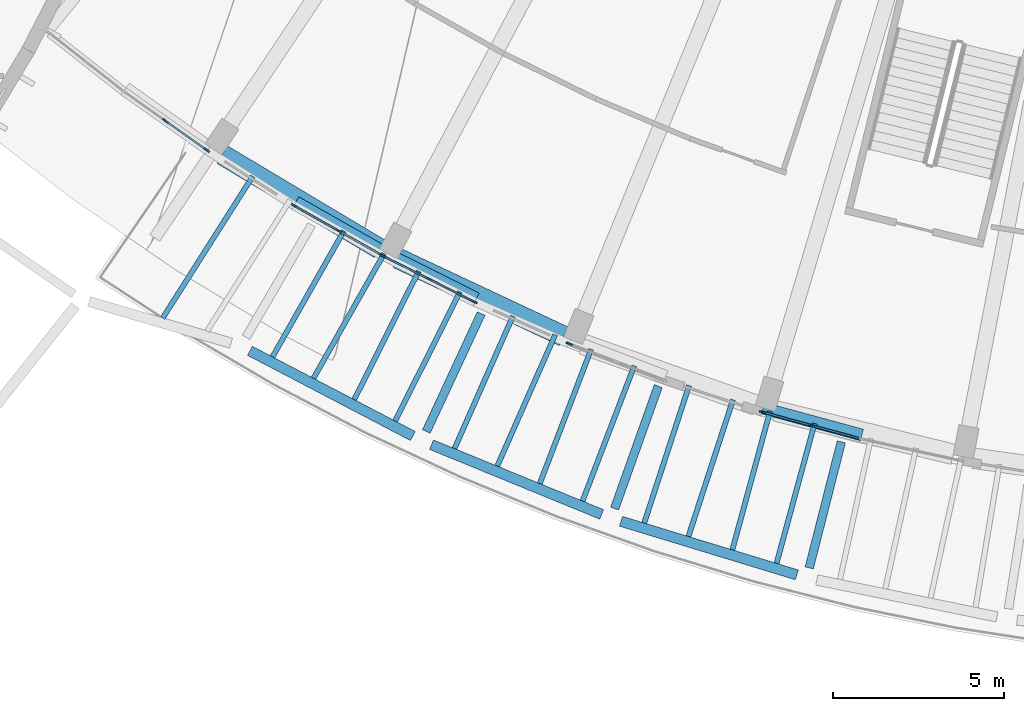
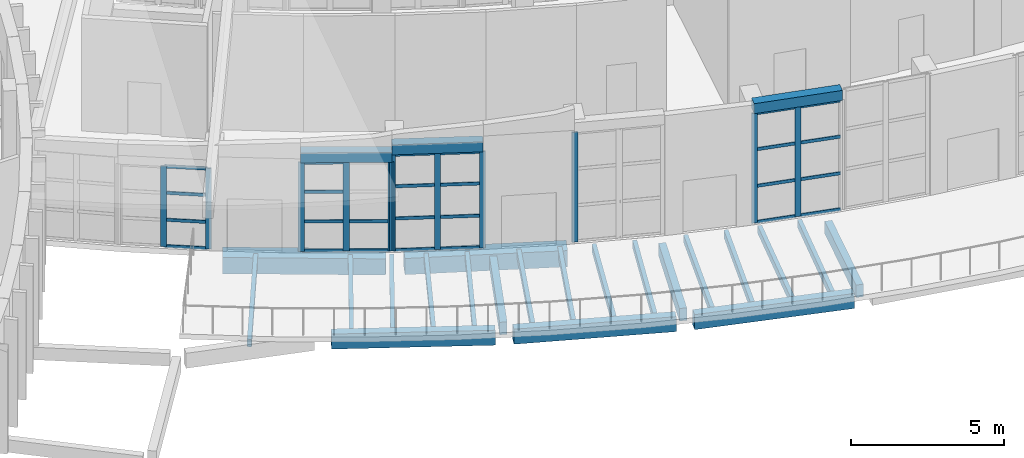
# One storey, part 8 of 93: 37 members, 24 beams, 5 elements without a shape of their own.
"""IFC4 building model written with IfcOpenShell, lengths in metres."""

from ifc_helpers import new_model, si_unit, direction, frame, origin, origin_2d, place, context, subcontext, project, spatial, rectangle, extrude, material, material_profile, profile_set, type_object, element, aggregate, save


model = new_model("IFC4")

# Units and contexts
model_context = context("Model", 3, precision=1e-05, world=origin(), true_north=direction((0.0, 1.0)))
body_context = subcontext(model_context, "Body", "Model", "MODEL_VIEW")
ifc_project = project(units=[si_unit("LENGTHUNIT", "METRE"), si_unit("AREAUNIT", "SQUARE_METRE"), si_unit("VOLUMEUNIT", "CUBIC_METRE"), si_unit("PLANEANGLEUNIT", "RADIAN"), si_unit("MASSUNIT", "GRAM", prefix="KILO")], contexts=[model_context])

# Site, building, storey
site_placement = place(None, origin())
site = spatial("IfcSite", under=ifc_project, at=site_placement, CompositionType="ELEMENT")
building_placement = place(site_placement, origin())
building = spatial("IfcBuilding", under=site, at=building_placement, Name="Tide Square Theatres", CompositionType="ELEMENT")
storey_placement = place(building_placement, frame((0.0, 0.0, 5.39990234375)))
storey = spatial("IfcBuildingStorey", under=building, at=storey_placement, Name="L01", CompositionType="ELEMENT", Elevation=5.39990234375)

# Curtain wall, members
ifc_material_1 = material(Name="Aluminium 6063-T5", Category="aluminium")
curtain_wall_type_1 = type_object("IfcCurtainWallType", Name="Stick system curtain wall 3000 high", PredefinedType="USERDEFINED", material=ifc_material_1)
curtain_wall_1_placement = place(storey_placement, origin())
curtain_wall_1 = element("IfcCurtainWall", 1, at=curtain_wall_1_placement, inside=storey, type_object=curtain_wall_type_1, Name="Foyer outer curtain wall", ObjectType="STICK SYSTEM", PredefinedType="USERDEFINED")
ifc_material_2 = material(Name="Aluminium 6063-T5", Category="aluminium")
ifc_material_profile_1 = material_profile(ifc_material_2, rectangle(XDim=0.050048828125, YDim=0.199951171875, at=origin_2d()))
ifc_profile_set_1 = profile_set([ifc_material_profile_1], Name="Aluminium 6063-T5")
member_type_1 = type_object("IfcMemberType", Name="Aluminium mullion 50 x 200", PredefinedType="MULLION", material=ifc_profile_set_1)
member_1_placement = place(storey_placement, frame((49.433837890625, 19.13330078125, 0.0), z_axis=(0.0, 0.0, 1.0), x_axis=(0.577503246104, 0.816388388415, 0.0)))
member_1 = element("IfcMember", 2, at=member_1_placement, type_object=member_type_1, Name="CW-10 mullion 2", PredefinedType="MULLION", context=body_context, shape_type="SweptSolid", body=[
    extrude(rectangle(XDim=0.050048828125, YDim=0.199951171875, at=origin_2d()), origin(), (0.0, 0.0, 1.0), 3.23486328125),
])
member_2_placement = place(storey_placement, frame((50.63623046875, 18.28271484375, 0.0), z_axis=(0.0, 0.0, 1.0), x_axis=(0.577503246104, 0.816388388415, 0.0)))
member_2 = element("IfcMember", 3, at=member_2_placement, type_object=member_type_1, Name="CW-10 mullion 3", PredefinedType="MULLION", context=body_context, shape_type="SweptSolid", body=[
    extrude(rectangle(XDim=0.050048828125, YDim=0.199951171875, at=origin_2d()), origin(), (0.0, 0.0, 1.0), 3.23486328125),
])

ifc_material_3 = material(Name="Aluminium 6063-T5", Category="aluminium")
curtain_wall_type_2 = type_object("IfcCurtainWallType", Name="Unitised system curtain wall 3600 high", PredefinedType="USERDEFINED", material=ifc_material_3)
curtain_wall_2_placement = place(storey_placement, origin())
curtain_wall_2 = element("IfcCurtainWall", 4, at=curtain_wall_2_placement, inside=storey, type_object=curtain_wall_type_2, Name="Foyer outer curtain wall", ObjectType="UNITISED SYSTEM", PredefinedType="USERDEFINED")
member_3_placement = place(storey_placement, frame((53.207763671875, 16.650390625, 0.0), z_axis=(0.0, 0.0, 1.0), x_axis=(0.493019309235, 0.870018368037, 0.0)))
member_3 = element("IfcMember", 5, at=member_3_placement, type_object=member_type_1, Name="CW-05 mullion 1", PredefinedType="MULLION", context=body_context, shape_type="SweptSolid", body=[
    extrude(rectangle(XDim=0.050048828125, YDim=0.199951171875, at=origin_2d()), origin(), (0.0, 0.0, 1.0), 3.567626953125),
])
member_4_placement = place(storey_placement, frame((54.489501953125, 15.924072265625, 0.0), z_axis=(0.0, 0.0, 1.0), x_axis=(0.493019309235, 0.870018368037, 0.0)))
member_4 = element("IfcMember", 6, at=member_4_placement, type_object=member_type_1, Name="CW-05 mullion 2", PredefinedType="MULLION", context=body_context, shape_type="SweptSolid", body=[
    extrude(rectangle(XDim=0.050048828125, YDim=0.199951171875, at=origin_2d()), origin(), (0.0, 0.0, 1.0), 3.567626953125),
])
member_5_placement = place(storey_placement, frame((55.77099609375, 15.197998046875, 0.0), z_axis=(0.0, 0.0, 1.0), x_axis=(0.493019309235, 0.870018368037, 0.0)))
member_5 = element("IfcMember", 7, at=member_5_placement, type_object=member_type_1, Name="CW-05 mullion 3", PredefinedType="MULLION", context=body_context, shape_type="SweptSolid", body=[
    extrude(rectangle(XDim=0.050048828125, YDim=0.199951171875, at=origin_2d()), origin(), (0.0, 0.0, 1.0), 3.567626953125),
])

curtain_wall_3_placement = place(storey_placement, origin())
curtain_wall_3 = element("IfcCurtainWall", 8, at=curtain_wall_3_placement, inside=storey, type_object=curtain_wall_type_2, Name="Foyer outer curtain wall", ObjectType="UNITISED SYSTEM", PredefinedType="USERDEFINED")
member_6_placement = place(storey_placement, frame((55.81494140625, 15.17431640625, 0.0), z_axis=(0.0, 0.0, 1.0), x_axis=(0.448868382034, 0.893597882501, 0.0)))
member_6 = element("IfcMember", 9, at=member_6_placement, type_object=member_type_1, Name="CW-05 mullion 1", PredefinedType="MULLION", context=body_context, shape_type="SweptSolid", body=[
    extrude(rectangle(XDim=0.050048828125, YDim=0.199951171875, at=origin_2d()), origin(), (0.0, 0.0, 1.0), 3.865966796875),
])
member_7_placement = place(storey_placement, frame((57.13134765625, 14.51318359375, 0.0), z_axis=(0.0, 0.0, 1.0), x_axis=(0.448868382034, 0.893597882501, 0.0)))
member_7 = element("IfcMember", 10, at=member_7_placement, type_object=member_type_1, Name="CW-05 mullion 2", PredefinedType="MULLION", context=body_context, shape_type="SweptSolid", body=[
    extrude(rectangle(XDim=0.050048828125, YDim=0.199951171875, at=origin_2d()), origin(), (0.0, 0.0, 1.0), 3.865966796875),
])
member_8_placement = place(storey_placement, frame((58.447509765625, 13.85205078125, 0.0), z_axis=(0.0, 0.0, 1.0), x_axis=(0.448868382034, 0.893597882501, 0.0)))
member_8 = element("IfcMember", 11, at=member_8_placement, type_object=member_type_1, Name="CW-05 mullion 3", PredefinedType="MULLION", context=body_context, shape_type="SweptSolid", body=[
    extrude(rectangle(XDim=0.050048828125, YDim=0.199951171875, at=origin_2d()), origin(), (0.0, 0.0, 1.0), 3.865966796875),
])

# Curtain wall, member
ifc_material_4 = material(Name="Aluminium 6063-T5", Category="aluminium")
curtain_wall_type_3 = type_object("IfcCurtainWallType", Name="Unitised system curtain wall 4600 high", PredefinedType="USERDEFINED", material=ifc_material_4)
curtain_wall_4_placement = place(storey_placement, origin())
curtain_wall_4 = element("IfcCurtainWall", 12, at=curtain_wall_4_placement, inside=storey, type_object=curtain_wall_type_3, Name="Foyer outer curtain wall", ObjectType="UNITISED SYSTEM", PredefinedType="USERDEFINED")
member_9_placement = place(storey_placement, frame((61.234375, 12.62255859375, 0.0), z_axis=(0.0, 0.0, 1.0), x_axis=(0.357352440873, 0.933969610321, 0.0)))
member_9 = element("IfcMember", 13, at=member_9_placement, type_object=member_type_1, Name="CW-03 mullion 1", PredefinedType="MULLION", context=body_context, shape_type="SweptSolid", body=[
    extrude(rectangle(XDim=0.050048828125, YDim=0.199951171875, at=origin_2d()), origin(), (0.0, 0.0, 1.0), 4.400146484375),
])
aggregate(curtain_wall_4, [member_9])

# Curtain wall, members
curtain_wall_5_placement = place(storey_placement, origin())
curtain_wall_5 = element("IfcCurtainWall", 14, at=curtain_wall_5_placement, inside=storey, type_object=curtain_wall_type_3, Name="Foyer outer curtain wall", ObjectType="UNITISED SYSTEM", PredefinedType="USERDEFINED")
member_10_placement = place(storey_placement, frame((66.88134765625, 10.625, 0.0), z_axis=(0.0, 0.0, 1.0), x_axis=(0.262213530715, 0.96500987783, 0.0)))
member_10 = element("IfcMember", 15, at=member_10_placement, type_object=member_type_1, Name="CW-03 mullion 1", PredefinedType="MULLION", context=body_context, shape_type="SweptSolid", body=[
    extrude(rectangle(XDim=0.050048828125, YDim=0.199951171875, at=origin_2d()), origin(), (0.0, 0.0, 1.0), 4.400146484375),
])
member_11_placement = place(storey_placement, frame((68.302978515625, 10.23876953125, 0.0), z_axis=(0.0, 0.0, 1.0), x_axis=(0.262213530715, 0.96500987783, 0.0)))
member_11 = element("IfcMember", 16, at=member_11_placement, type_object=member_type_1, Name="CW-03 mullion 2", PredefinedType="MULLION", context=body_context, shape_type="SweptSolid", body=[
    extrude(rectangle(XDim=0.050048828125, YDim=0.199951171875, at=origin_2d()), origin(), (0.0, 0.0, 1.0), 4.400146484375),
])

# Member
ifc_material_5 = material(Name="Aluminium 6063-T5", Category="aluminium")
ifc_material_profile_2 = material_profile(ifc_material_5, rectangle(XDim=0.050048828125, YDim=0.125, at=origin_2d()))
ifc_profile_set_2 = profile_set([ifc_material_profile_2], Name="Aluminium 6063-T5")
member_type_2 = type_object("IfcMemberType", Name="Aluminium transom 50 x 125", PredefinedType="USERDEFINED", material=ifc_profile_set_2)
member_12_placement = place(storey_placement, frame((49.4541015625, 19.118896484375, 0.025146484375), z_axis=(0.816425502723, -0.577450775828, 0.0), x_axis=(0.577450775828, 0.816425502723, 0.0)))
member_12 = element("IfcMember", 17, at=member_12_placement, type_object=member_type_2, Name="CW-10 transom 2.1", ObjectType="TRANSOM", PredefinedType="USERDEFINED", context=body_context, shape_type="SweptSolid", body=[
    extrude(rectangle(XDim=0.050048828125, YDim=0.125, at=origin_2d()), origin(), (0.0, 0.0, 1.0), 1.423095703125),
])

member_13_placement = place(storey_placement, frame((49.4541015625, 19.118896484375, 1.078369140625), z_axis=(0.816425502723, -0.577450775828, 0.0), x_axis=(0.577450775828, 0.816425502723, 0.0)))
member_13 = element("IfcMember", 18, at=member_13_placement, type_object=member_type_2, Name="CW-10 transom 2.2", ObjectType="TRANSOM", PredefinedType="USERDEFINED", context=body_context, shape_type="SweptSolid", body=[
    extrude(rectangle(XDim=0.050048828125, YDim=0.125, at=origin_2d()), origin(), (0.0, 0.0, 1.0), 1.423095703125),
])

member_14_placement = place(storey_placement, frame((49.4541015625, 19.118896484375, 2.156494140625), z_axis=(0.816425502723, -0.577450775828, 0.0), x_axis=(0.577450775828, 0.816425502723, 0.0)))
member_14 = element("IfcMember", 19, at=member_14_placement, type_object=member_type_2, Name="CW-10 transom 2.3", ObjectType="TRANSOM", PredefinedType="USERDEFINED", context=body_context, shape_type="SweptSolid", body=[
    extrude(rectangle(XDim=0.050048828125, YDim=0.125, at=origin_2d()), origin(), (0.0, 0.0, 1.0), 1.423095703125),
])

member_15_placement = place(storey_placement, frame((49.4541015625, 19.118896484375, 3.2099609375), z_axis=(0.816425502723, -0.577450775828, 0.0), x_axis=(0.577450775828, 0.816425502723, 0.0)))
member_15 = element("IfcMember", 20, at=member_15_placement, type_object=member_type_2, Name="CW-10 transom 2.4", ObjectType="TRANSOM", PredefinedType="USERDEFINED", context=body_context, shape_type="SweptSolid", body=[
    extrude(rectangle(XDim=0.050048828125, YDim=0.125, at=origin_2d()), origin(), (0.0, 0.0, 1.0), 1.423095703125),
])

aggregate(curtain_wall_1, [member_1, member_2, member_12, member_13, member_14, member_15])

member_16_placement = place(storey_placement, frame((53.2294921875, 16.637939453125, 0.025146484375), z_axis=(0.870063886333, -0.492938975633, 0.0), x_axis=(0.492938975633, 0.870063886333, 0.0)))
member_16 = element("IfcMember", 21, at=member_16_placement, type_object=member_type_2, Name="CW-05 transom 1.1", ObjectType="TRANSOM", PredefinedType="USERDEFINED", context=body_context, shape_type="SweptSolid", body=[
    extrude(rectangle(XDim=0.050048828125, YDim=0.125, at=origin_2d()), origin(), (0.0, 0.0, 1.0), 1.4228515625),
])

member_17_placement = place(storey_placement, frame((53.2294921875, 16.637939453125, 1.189208984375), z_axis=(0.870063886333, -0.492938975633, 0.0), x_axis=(0.492938975633, 0.870063886333, 0.0)))
member_17 = element("IfcMember", 22, at=member_17_placement, type_object=member_type_2, Name="CW-05 transom 1.2", ObjectType="TRANSOM", PredefinedType="USERDEFINED", context=body_context, shape_type="SweptSolid", body=[
    extrude(rectangle(XDim=0.050048828125, YDim=0.125, at=origin_2d()), origin(), (0.0, 0.0, 1.0), 1.4228515625),
])

member_18_placement = place(storey_placement, frame((53.2294921875, 16.637939453125, 2.37841796875), z_axis=(0.870063886333, -0.492938975633, 0.0), x_axis=(0.492938975633, 0.870063886333, 0.0)))
member_18 = element("IfcMember", 23, at=member_18_placement, type_object=member_type_2, Name="CW-05 transom 1.3", ObjectType="TRANSOM", PredefinedType="USERDEFINED", context=body_context, shape_type="SweptSolid", body=[
    extrude(rectangle(XDim=0.050048828125, YDim=0.125, at=origin_2d()), origin(), (0.0, 0.0, 1.0), 1.4228515625),
])

member_19_placement = place(storey_placement, frame((53.2294921875, 16.637939453125, 3.54248046875), z_axis=(0.870063886333, -0.492938975633, 0.0), x_axis=(0.492938975633, 0.870063886333, 0.0)))
member_19 = element("IfcMember", 24, at=member_19_placement, type_object=member_type_2, Name="CW-05 transom 1.4", ObjectType="TRANSOM", PredefinedType="USERDEFINED", context=body_context, shape_type="SweptSolid", body=[
    extrude(rectangle(XDim=0.050048828125, YDim=0.125, at=origin_2d()), origin(), (0.0, 0.0, 1.0), 1.4228515625),
])

member_20_placement = place(storey_placement, frame((54.51123046875, 15.911865234375, 0.025146484375), z_axis=(0.86999029574, -0.493068844401, 0.0), x_axis=(0.493068844401, 0.86999029574, 0.0)))
member_20 = element("IfcMember", 25, at=member_20_placement, type_object=member_type_2, Name="CW-05 transom 2.1", ObjectType="TRANSOM", PredefinedType="USERDEFINED", context=body_context, shape_type="SweptSolid", body=[
    extrude(rectangle(XDim=0.050048828125, YDim=0.125, at=origin_2d()), origin(), (0.0, 0.0, 1.0), 1.423095703125),
])

member_21_placement = place(storey_placement, frame((54.51123046875, 15.911865234375, 1.189208984375), z_axis=(0.86999029574, -0.493068844401, 0.0), x_axis=(0.493068844401, 0.86999029574, 0.0)))
member_21 = element("IfcMember", 26, at=member_21_placement, type_object=member_type_2, Name="CW-05 transom 2.2", ObjectType="TRANSOM", PredefinedType="USERDEFINED", context=body_context, shape_type="SweptSolid", body=[
    extrude(rectangle(XDim=0.050048828125, YDim=0.125, at=origin_2d()), origin(), (0.0, 0.0, 1.0), 1.423095703125),
])

aggregate(curtain_wall_2, [member_3, member_4, member_5, member_16, member_17, member_18, member_19, member_20, member_21])

member_22_placement = place(storey_placement, frame((55.83740234375, 15.1630859375, 0.025146484375), z_axis=(0.893602077864, -0.448860029895, 0.0), x_axis=(0.448860029895, 0.893602077864, 0.0)))
member_22 = element("IfcMember", 27, at=member_22_placement, type_object=member_type_2, Name="CW-05 transom 1.1", ObjectType="TRANSOM", PredefinedType="USERDEFINED", context=body_context, shape_type="SweptSolid", body=[
    extrude(rectangle(XDim=0.050048828125, YDim=0.125, at=origin_2d()), origin(), (0.0, 0.0, 1.0), 1.4228515625),
])

member_23_placement = place(storey_placement, frame((55.83740234375, 15.1630859375, 1.288818359375), z_axis=(0.893602077864, -0.448860029895, 0.0), x_axis=(0.448860029895, 0.893602077864, 0.0)))
member_23 = element("IfcMember", 28, at=member_23_placement, type_object=member_type_2, Name="CW-05 transom 1.2", ObjectType="TRANSOM", PredefinedType="USERDEFINED", context=body_context, shape_type="SweptSolid", body=[
    extrude(rectangle(XDim=0.050048828125, YDim=0.125, at=origin_2d()), origin(), (0.0, 0.0, 1.0), 1.4228515625),
])

member_24_placement = place(storey_placement, frame((55.83740234375, 15.1630859375, 2.577392578125), z_axis=(0.893602077864, -0.448860029895, 0.0), x_axis=(0.448860029895, 0.893602077864, 0.0)))
member_24 = element("IfcMember", 29, at=member_24_placement, type_object=member_type_2, Name="CW-05 transom 1.3", ObjectType="TRANSOM", PredefinedType="USERDEFINED", context=body_context, shape_type="SweptSolid", body=[
    extrude(rectangle(XDim=0.050048828125, YDim=0.125, at=origin_2d()), origin(), (0.0, 0.0, 1.0), 1.4228515625),
])

member_25_placement = place(storey_placement, frame((55.83740234375, 15.1630859375, 3.8408203125), z_axis=(0.893602077864, -0.448860029895, 0.0), x_axis=(0.448860029895, 0.893602077864, 0.0)))
member_25 = element("IfcMember", 30, at=member_25_placement, type_object=member_type_2, Name="CW-05 transom 1.4", ObjectType="TRANSOM", PredefinedType="USERDEFINED", context=body_context, shape_type="SweptSolid", body=[
    extrude(rectangle(XDim=0.050048828125, YDim=0.125, at=origin_2d()), origin(), (0.0, 0.0, 1.0), 1.4228515625),
])

member_26_placement = place(storey_placement, frame((57.153564453125, 14.501953125, 0.025146484375), z_axis=(0.893636639571, -0.448791216955, 0.0), x_axis=(0.448791216955, 0.893636639571, 0.0)))
member_26 = element("IfcMember", 31, at=member_26_placement, type_object=member_type_2, Name="CW-05 transom 2.1", ObjectType="TRANSOM", PredefinedType="USERDEFINED", context=body_context, shape_type="SweptSolid", body=[
    extrude(rectangle(XDim=0.050048828125, YDim=0.125, at=origin_2d()), origin(), (0.0, 0.0, 1.0), 1.423095703125),
])

member_27_placement = place(storey_placement, frame((57.153564453125, 14.501953125, 1.288818359375), z_axis=(0.893636639571, -0.448791216955, 0.0), x_axis=(0.448791216955, 0.893636639571, 0.0)))
member_27 = element("IfcMember", 32, at=member_27_placement, type_object=member_type_2, Name="CW-05 transom 2.2", ObjectType="TRANSOM", PredefinedType="USERDEFINED", context=body_context, shape_type="SweptSolid", body=[
    extrude(rectangle(XDim=0.050048828125, YDim=0.125, at=origin_2d()), origin(), (0.0, 0.0, 1.0), 1.423095703125),
])

member_28_placement = place(storey_placement, frame((57.153564453125, 14.501953125, 2.577392578125), z_axis=(0.893636639571, -0.448791216955, 0.0), x_axis=(0.448791216955, 0.893636639571, 0.0)))
member_28 = element("IfcMember", 33, at=member_28_placement, type_object=member_type_2, Name="CW-05 transom 2.3", ObjectType="TRANSOM", PredefinedType="USERDEFINED", context=body_context, shape_type="SweptSolid", body=[
    extrude(rectangle(XDim=0.050048828125, YDim=0.125, at=origin_2d()), origin(), (0.0, 0.0, 1.0), 1.423095703125),
])

member_29_placement = place(storey_placement, frame((57.153564453125, 14.501953125, 3.8408203125), z_axis=(0.893636639571, -0.448791216955, 0.0), x_axis=(0.448791216955, 0.893636639571, 0.0)))
member_29 = element("IfcMember", 34, at=member_29_placement, type_object=member_type_2, Name="CW-05 transom 2.4", ObjectType="TRANSOM", PredefinedType="USERDEFINED", context=body_context, shape_type="SweptSolid", body=[
    extrude(rectangle(XDim=0.050048828125, YDim=0.125, at=origin_2d()), origin(), (0.0, 0.0, 1.0), 1.423095703125),
])

aggregate(curtain_wall_3, [member_6, member_7, member_8, member_22, member_23, member_24, member_25, member_26, member_27, member_28, member_29])

member_30_placement = place(storey_placement, frame((66.905517578125, 10.618408203125, 0.025146484375), z_axis=(0.965028590111, -0.262144655234, 0.0), x_axis=(0.262144655234, 0.965028590111, 0.0)))
member_30 = element("IfcMember", 35, at=member_30_placement, type_object=member_type_2, Name="CW-03 transom 1.1", ObjectType="TRANSOM", PredefinedType="USERDEFINED", context=body_context, shape_type="SweptSolid", body=[
    extrude(rectangle(XDim=0.050048828125, YDim=0.125, at=origin_2d()), origin(), (0.0, 0.0, 1.0), 1.423095703125),
])

member_31_placement = place(storey_placement, frame((66.905517578125, 10.618408203125, 1.466796875), z_axis=(0.965028590111, -0.262144655234, 0.0), x_axis=(0.262144655234, 0.965028590111, 0.0)))
member_31 = element("IfcMember", 36, at=member_31_placement, type_object=member_type_2, Name="CW-03 transom 1.2", ObjectType="TRANSOM", PredefinedType="USERDEFINED", context=body_context, shape_type="SweptSolid", body=[
    extrude(rectangle(XDim=0.050048828125, YDim=0.125, at=origin_2d()), origin(), (0.0, 0.0, 1.0), 1.423095703125),
])

member_32_placement = place(storey_placement, frame((66.905517578125, 10.618408203125, 2.933349609375), z_axis=(0.965028590111, -0.262144655234, 0.0), x_axis=(0.262144655234, 0.965028590111, 0.0)))
member_32 = element("IfcMember", 37, at=member_32_placement, type_object=member_type_2, Name="CW-03 transom 1.3", ObjectType="TRANSOM", PredefinedType="USERDEFINED", context=body_context, shape_type="SweptSolid", body=[
    extrude(rectangle(XDim=0.050048828125, YDim=0.125, at=origin_2d()), origin(), (0.0, 0.0, 1.0), 1.423095703125),
])

member_33_placement = place(storey_placement, frame((66.905517578125, 10.618408203125, 4.375), z_axis=(0.965028590111, -0.262144655234, 0.0), x_axis=(0.262144655234, 0.965028590111, 0.0)))
member_33 = element("IfcMember", 38, at=member_33_placement, type_object=member_type_2, Name="CW-03 transom 1.4", ObjectType="TRANSOM", PredefinedType="USERDEFINED", context=body_context, shape_type="SweptSolid", body=[
    extrude(rectangle(XDim=0.050048828125, YDim=0.125, at=origin_2d()), origin(), (0.0, 0.0, 1.0), 1.423095703125),
])

member_34_placement = place(storey_placement, frame((68.326904296875, 10.232177734375, 0.025146484375), z_axis=(0.965028590111, -0.262144655234, 0.0), x_axis=(0.262144655234, 0.965028590111, 0.0)))
member_34 = element("IfcMember", 39, at=member_34_placement, type_object=member_type_2, Name="CW-03 transom 2.1", ObjectType="TRANSOM", PredefinedType="USERDEFINED", context=body_context, shape_type="SweptSolid", body=[
    extrude(rectangle(XDim=0.050048828125, YDim=0.125, at=origin_2d()), origin(), (0.0, 0.0, 1.0), 1.423095703125),
])

member_35_placement = place(storey_placement, frame((68.326904296875, 10.232177734375, 1.466796875), z_axis=(0.965028590111, -0.262144655234, 0.0), x_axis=(0.262144655234, 0.965028590111, 0.0)))
member_35 = element("IfcMember", 40, at=member_35_placement, type_object=member_type_2, Name="CW-03 transom 2.2", ObjectType="TRANSOM", PredefinedType="USERDEFINED", context=body_context, shape_type="SweptSolid", body=[
    extrude(rectangle(XDim=0.050048828125, YDim=0.125, at=origin_2d()), origin(), (0.0, 0.0, 1.0), 1.423095703125),
])

member_36_placement = place(storey_placement, frame((68.326904296875, 10.232177734375, 2.933349609375), z_axis=(0.965028590111, -0.262144655234, 0.0), x_axis=(0.262144655234, 0.965028590111, 0.0)))
member_36 = element("IfcMember", 41, at=member_36_placement, type_object=member_type_2, Name="CW-03 transom 2.3", ObjectType="TRANSOM", PredefinedType="USERDEFINED", context=body_context, shape_type="SweptSolid", body=[
    extrude(rectangle(XDim=0.050048828125, YDim=0.125, at=origin_2d()), origin(), (0.0, 0.0, 1.0), 1.423095703125),
])

member_37_placement = place(storey_placement, frame((68.326904296875, 10.232177734375, 4.375), z_axis=(0.965028590111, -0.262144655234, 0.0), x_axis=(0.262144655234, 0.965028590111, 0.0)))
member_37 = element("IfcMember", 42, at=member_37_placement, type_object=member_type_2, Name="CW-03 transom 2.4", ObjectType="TRANSOM", PredefinedType="USERDEFINED", context=body_context, shape_type="SweptSolid", body=[
    extrude(rectangle(XDim=0.050048828125, YDim=0.125, at=origin_2d()), origin(), (0.0, 0.0, 1.0), 1.423095703125),
])

aggregate(curtain_wall_5, [member_10, member_11, member_30, member_31, member_32, member_33, member_34, member_35, member_36, member_37])

# Beams
ifc_material_6 = material(Name="Concrete C35", Category="concrete")
ifc_material_profile_3 = material_profile(ifc_material_6, rectangle(XDim=0.14990234375, YDim=0.300048828125, at=origin_2d()))
ifc_profile_set_3 = profile_set([ifc_material_profile_3], Name="Concrete C35")
beam_type_1 = type_object("IfcBeamType", Name="RC arcade roof rib 150 x 300", PredefinedType="JOIST", material=ifc_profile_set_3)
beam_1_placement = place(storey_placement, frame((49.353515625, 13.374755859375, -0.349853515625), z_axis=(0.535918604477, 0.84426965442, 0.0), x_axis=(-0.84426965442, 0.535918604477, 0.0)))
element("IfcBeam", 43, at=beam_1_placement, inside=storey, type_object=beam_type_1, Name="Arcade roof rib", PredefinedType="JOIST", context=body_context, shape_type="SweptSolid", body=[
    extrude(rectangle(XDim=0.14990234375, YDim=0.300048828125, at=origin_2d()), origin(), (0.0, 0.0, 1.0), 4.905029296875),
])
beam_2_placement = place(storey_placement, frame((52.561279296875, 12.23974609375, -0.349853515625), z_axis=(0.493003836618, 0.87002713583, 0.0), x_axis=(-0.87002713583, 0.493003836618, 0.0)))
element("IfcBeam", 44, at=beam_2_placement, inside=storey, type_object=beam_type_1, Name="Arcade roof rib", PredefinedType="JOIST", context=body_context, shape_type="SweptSolid", body=[
    extrude(rectangle(XDim=0.14990234375, YDim=0.300048828125, at=origin_2d()), origin(), (0.0, 0.0, 1.0), 4.23095703125),
])
beam_3_placement = place(storey_placement, frame((53.757568359375, 11.6142578125, -0.349853515625), z_axis=(0.493019930889, 0.87001801576, 0.0), x_axis=(-0.87001801576, 0.493019930889, 0.0)))
element("IfcBeam", 45, at=beam_3_placement, inside=storey, type_object=beam_type_1, Name="Arcade roof rib", PredefinedType="JOIST", context=body_context, shape_type="SweptSolid", body=[
    extrude(rectangle(XDim=0.14990234375, YDim=0.300048828125, at=origin_2d()), origin(), (0.0, 0.0, 1.0), 4.185302734375),
])
beam_4_placement = place(storey_placement, frame((54.947265625, 10.9921875, -0.349853515625), z_axis=(0.448863023342, 0.893600574237, 0.0), x_axis=(-0.893600574237, 0.448863023342, 0.0)))
element("IfcBeam", 46, at=beam_4_placement, inside=storey, type_object=beam_type_1, Name="Arcade roof rib", PredefinedType="JOIST", context=body_context, shape_type="SweptSolid", body=[
    extrude(rectangle(XDim=0.14990234375, YDim=0.300048828125, at=origin_2d()), origin(), (0.0, 0.0, 1.0), 4.20166015625),
])
beam_5_placement = place(storey_placement, frame((56.1435546875, 10.36669921875, -0.349853515625), z_axis=(0.448900656438, 0.893581669826, 0.0), x_axis=(-0.893581669826, 0.448900656438, 0.0)))
element("IfcBeam", 47, at=beam_5_placement, inside=storey, type_object=beam_type_1, Name="Arcade roof rib", PredefinedType="JOIST", context=body_context, shape_type="SweptSolid", body=[
    extrude(rectangle(XDim=0.14990234375, YDim=0.300048828125, at=origin_2d()), origin(), (0.0, 0.0, 1.0), 4.2236328125),
])
beam_6_placement = place(storey_placement, frame((57.877685546875, 9.56005859375, -0.349853515625), z_axis=(0.403620315296, 0.91492657688, 0.0), x_axis=(-0.91492657688, 0.403620315296, 0.0)))
element("IfcBeam", 48, at=beam_6_placement, inside=storey, type_object=beam_type_1, Name="Arcade roof rib", PredefinedType="JOIST", context=body_context, shape_type="SweptSolid", body=[
    extrude(rectangle(XDim=0.14990234375, YDim=0.300048828125, at=origin_2d()), origin(), (0.0, 0.0, 1.0), 4.23046875),
])
beam_7_placement = place(storey_placement, frame((59.126953125, 9.04833984375, -0.349853515625), z_axis=(0.40359864869, 0.914936134807, 0.0), x_axis=(-0.914936134807, 0.40359864869, 0.0)))
element("IfcBeam", 49, at=beam_7_placement, inside=storey, type_object=beam_type_1, Name="Arcade roof rib", PredefinedType="JOIST", context=body_context, shape_type="SweptSolid", body=[
    extrude(rectangle(XDim=0.14990234375, YDim=0.300048828125, at=origin_2d()), origin(), (0.0, 0.0, 1.0), 4.1943359375),
])
beam_8_placement = place(storey_placement, frame((60.369384765625, 8.53955078125, -0.349853515625), z_axis=(0.357349387454, 0.933970778604, 0.0), x_axis=(-0.933970778604, 0.357349387454, 0.0)))
element("IfcBeam", 50, at=beam_8_placement, inside=storey, type_object=beam_type_1, Name="Arcade roof rib", PredefinedType="JOIST", context=body_context, shape_type="SweptSolid", body=[
    extrude(rectangle(XDim=0.14990234375, YDim=0.300048828125, at=origin_2d()), origin(), (0.0, 0.0, 1.0), 4.197509765625),
])
beam_9_placement = place(storey_placement, frame((61.618408203125, 8.02783203125, -0.349853515625), z_axis=(0.357404097219, 0.933949844098, 0.0), x_axis=(-0.933949844098, 0.357404097219, 0.0)))
element("IfcBeam", 51, at=beam_9_placement, inside=storey, type_object=beam_type_1, Name="Arcade roof rib", PredefinedType="JOIST", context=body_context, shape_type="SweptSolid", body=[
    extrude(rectangle(XDim=0.14990234375, YDim=0.300048828125, at=origin_2d()), origin(), (0.0, 0.0, 1.0), 4.22900390625),
])
beam_10_placement = place(storey_placement, frame((63.420166015625, 7.385986328125, -0.349853515625), z_axis=(0.31019085084, 0.950674305982, 0.0), x_axis=(-0.950674305982, 0.31019085084, 0.0)))
element("IfcBeam", 52, at=beam_10_placement, inside=storey, type_object=beam_type_1, Name="Arcade roof rib", PredefinedType="JOIST", context=body_context, shape_type="SweptSolid", body=[
    extrude(rectangle(XDim=0.14990234375, YDim=0.300048828125, at=origin_2d()), origin(), (0.0, 0.0, 1.0), 4.2265625),
])
beam_11_placement = place(storey_placement, frame((64.711669921875, 6.992431640625, -0.349853515625), z_axis=(0.310153084255, 0.950686627826, 0.0), x_axis=(-0.950686627826, 0.310153084255, 0.0)))
element("IfcBeam", 53, at=beam_11_placement, inside=storey, type_object=beam_type_1, Name="Arcade roof rib", PredefinedType="JOIST", context=body_context, shape_type="SweptSolid", body=[
    extrude(rectangle(XDim=0.14990234375, YDim=0.300048828125, at=origin_2d()), origin(), (0.0, 0.0, 1.0), 4.2001953125),
])
beam_12_placement = place(storey_placement, frame((65.995849609375, 6.601318359375, -0.349853515625), z_axis=(0.262254518037, 0.964998739776, 0.0), x_axis=(-0.964998739776, 0.262254518037, 0.0)))
element("IfcBeam", 54, at=beam_12_placement, inside=storey, type_object=beam_type_1, Name="Arcade roof rib", PredefinedType="JOIST", context=body_context, shape_type="SweptSolid", body=[
    extrude(rectangle(XDim=0.14990234375, YDim=0.300048828125, at=origin_2d()), origin(), (0.0, 0.0, 1.0), 4.190185546875),
])
beam_13_placement = place(storey_placement, frame((67.287109375, 6.207763671875, -0.349853515625), z_axis=(0.262238508034, 0.965003090619, 0.0), x_axis=(-0.965003090619, 0.262238508034, 0.0)))
element("IfcBeam", 55, at=beam_13_placement, inside=storey, type_object=beam_type_1, Name="Arcade roof rib", PredefinedType="JOIST", context=body_context, shape_type="SweptSolid", body=[
    extrude(rectangle(XDim=0.14990234375, YDim=0.300048828125, at=origin_2d()), origin(), (0.0, 0.0, 1.0), 4.2314453125),
])
ifc_material_7 = material(Name="Concrete C35", Category="concrete")
ifc_material_profile_4 = material_profile(ifc_material_7, rectangle(XDim=0.25, YDim=0.5, at=origin_2d()))
ifc_profile_set_4 = profile_set([ifc_material_profile_4], Name="Concrete C35")
beam_type_2 = type_object("IfcBeamType", Name="RC beam 250 x 500", PredefinedType="BEAM", material=ifc_profile_set_4)
beam_14_placement = place(storey_placement, frame((57.05419921875, 10.05908203125, -0.449951171875), z_axis=(0.421696356551, 0.906737107916, 0.0), x_axis=(-0.906737107916, 0.421696356551, 0.0)))
element("IfcBeam", 56, at=beam_14_placement, inside=storey, type_object=beam_type_2, Name="Arcade slab beam", PredefinedType="BEAM", context=body_context, shape_type="SweptSolid", body=[
    extrude(rectangle(XDim=0.25, YDim=0.5, at=origin_2d()), origin(), (0.0, 0.0, 1.0), 3.80029296875),
])
for number, where, z_axis, x_axis, name in (
    (57, (62.554931640625, 7.805908203125, -0.449951171875), (0.335628127553, 0.941994564737, 0.0), (-0.941994564737, 0.335628127553, 0.0), "Arcade slab beam"),
    (58, (68.2412109375, 6.07373046875, -0.449951171875), (0.246584931622, 0.969121185145, 0.0), (-0.969121185145, 0.246584931622, 0.0), "Arcade slab beam"),
):
    element("IfcBeam", number, at=place(storey_placement, frame(where, z_axis=z_axis, x_axis=x_axis)), inside=storey, type_object=beam_type_2, Name=name, PredefinedType="BEAM", context=body_context, shape_type="SweptSolid", body=[
        extrude(rectangle(XDim=0.25, YDim=0.5, at=origin_2d()), origin(), (0.0, 0.0, 1.0), 3.800048828125),
    ])
ifc_material_8 = material(Name="Concrete C35", Category="concrete")
ifc_material_profile_5 = material_profile(ifc_material_8, rectangle(XDim=0.300048828125, YDim=0.60009765625, at=origin_2d()))
ifc_profile_set_5 = profile_set([ifc_material_profile_5], Name="Concrete C35")
beam_type_3 = type_object("IfcBeamType", Name="RC beam 300 x 600", PredefinedType="BEAM", material=ifc_profile_set_5)
for number, where, z_axis, x_axis, name in (
    (59, (51.9013671875, 12.415771484375, -0.5), (0.886154198246, -0.463390479975, 0.0), (0.463390479975, 0.886154198246, 0.0), "Colonnade beam"),
    (60, (57.205322265625, 9.673583984375, -0.5), (0.925376749306, -0.379048640473, 0.0), (0.379048640473, 0.925376749306, 0.0), "Colonnade beam"),
):
    element("IfcBeam", number, at=place(storey_placement, frame(where, z_axis=z_axis, x_axis=x_axis)), inside=storey, type_object=beam_type_3, Name=name, PredefinedType="BEAM", context=body_context, shape_type="SweptSolid", body=[
        extrude(rectangle(XDim=0.300048828125, YDim=0.60009765625, at=origin_2d()), origin(), (0.0, 0.0, 1.0), 5.372314453125),
    ])
beam_15_placement = place(storey_placement, frame((62.7412109375, 7.43603515625, -0.5), z_axis=(0.956587979354, -0.291443712841, 0.0), x_axis=(0.291443712841, 0.956587979354, 0.0)))
element("IfcBeam", 61, at=beam_15_placement, inside=storey, type_object=beam_type_3, Name="Colonnade beam", PredefinedType="BEAM", context=body_context, shape_type="SweptSolid", body=[
    extrude(rectangle(XDim=0.300048828125, YDim=0.60009765625, at=origin_2d()), origin(), (0.0, 0.0, 1.0), 5.3720703125),
])
ifc_material_9 = material(Name="Concrete C35", Category="concrete")
ifc_material_profile_6 = material_profile(ifc_material_9, rectangle(XDim=0.35009765625, YDim=0.39990234375, at=origin_2d()))
ifc_profile_set_6 = profile_set([ifc_material_profile_6], Name="Concrete C35")
beam_type_4 = type_object("IfcBeamType", Name="RC beam 350 x 400", PredefinedType="BEAM", material=ifc_profile_set_6)
beam_16_placement = place(storey_placement, frame((53.242919921875, 16.7626953125, 3.767578125), z_axis=(0.870012864443, -0.493029021158, 0.0), x_axis=(0.493029021158, 0.870012864443, 0.0)))
element("IfcBeam", 62, at=beam_16_placement, inside=storey, type_object=beam_type_4, Name="Foyer fascia head beam", PredefinedType="BEAM", context=body_context, shape_type="SweptSolid", body=[
    extrude(rectangle(XDim=0.35009765625, YDim=0.39990234375, at=origin_2d()), origin(), (0.0, 0.0, 1.0), 2.995849609375),
])
beam_17_placement = place(storey_placement, frame((55.84423828125, 15.288330078125, 4.06591796875), z_axis=(0.893610813914, -0.44884263752, 0.0), x_axis=(0.44884263752, 0.893610813914, 0.0)))
element("IfcBeam", 63, at=beam_17_placement, inside=storey, type_object=beam_type_4, Name="Foyer fascia head beam", PredefinedType="BEAM", context=body_context, shape_type="SweptSolid", body=[
    extrude(rectangle(XDim=0.35009765625, YDim=0.39990234375, at=origin_2d()), origin(), (0.0, 0.0, 1.0), 2.99609375),
])
beam_18_placement = place(storey_placement, frame((66.887451171875, 10.742431640625, 4.60009765625), z_axis=(0.965004126332, -0.262234696718, 0.0), x_axis=(0.262234696718, 0.965004126332, 0.0)))
element("IfcBeam", 64, at=beam_18_placement, inside=storey, type_object=beam_type_4, Name="Foyer fascia head beam", PredefinedType="BEAM", context=body_context, shape_type="SweptSolid", body=[
    extrude(rectangle(XDim=0.35009765625, YDim=0.39990234375, at=origin_2d()), origin(), (0.0, 0.0, 1.0), 2.995849609375),
])
ifc_material_10 = material(Name="Concrete C35", Category="concrete")
ifc_material_profile_7 = material_profile(ifc_material_10, rectangle(XDim=0.60009765625, YDim=0.64990234375, at=origin_2d()))
ifc_profile_set_7 = profile_set([ifc_material_profile_7], Name="Concrete C35")
beam_type_5 = type_object("IfcBeamType", Name="RC spandrel beam 600 x 650", PredefinedType="SPANDREL", material=ifc_profile_set_7)
for number, where, z_axis, x_axis, name in (
    (65, (51.09033203125, 18.147216796875, -0.544921875), (0.85841254068, -0.512959949706, 0.0), (0.512959949706, 0.85841254068, 0.0), "Foyer outer spandrel beam"),
    (66, (56.21728515625, 15.1181640625, -0.544921875), (0.905220126964, -0.424942962925, 0.0), (0.424942962925, 0.905220126964, 0.0), "Foyer outer spandrel beam"),
):
    element("IfcBeam", number, at=place(storey_placement, frame(where, z_axis=z_axis, x_axis=x_axis)), inside=storey, type_object=beam_type_5, Name=name, PredefinedType="SPANDREL", context=body_context, shape_type="SweptSolid", body=[
        extrude(rectangle(XDim=0.60009765625, YDim=0.64990234375, at=origin_2d()), origin(), (0.0, 0.0, 1.0), 5.356201171875),
    ])

save(model, "model.ifc")
